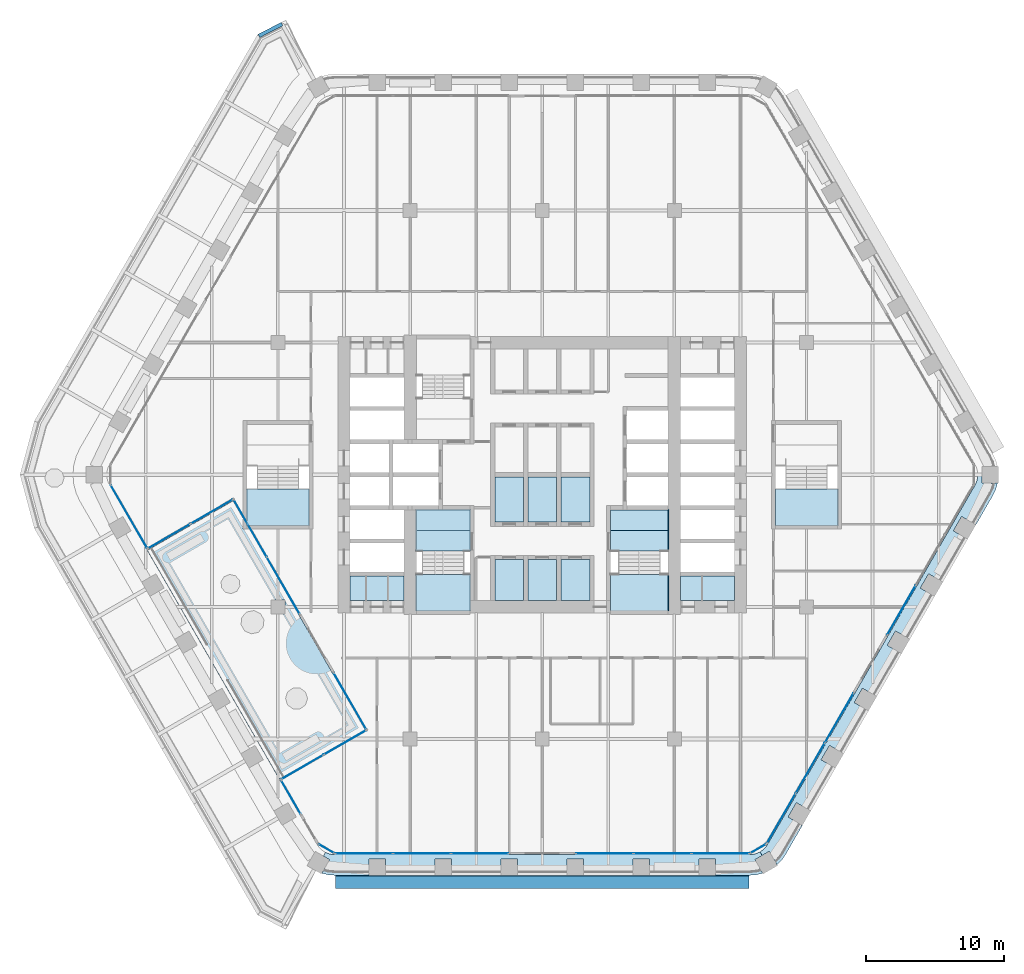
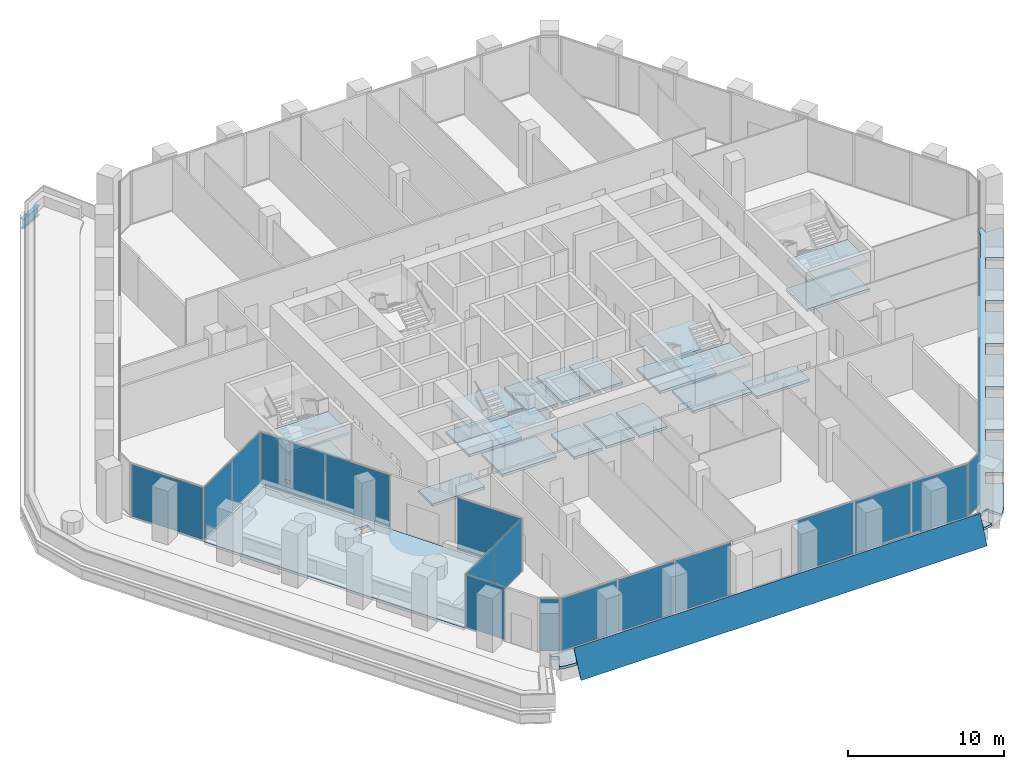
# One storey, part 12 of 27: 25 slabs, 22 plates, 1 beam, 16 elements without a shape of their own.
"""IFC4 building model written with IfcOpenShell, lengths in metres."""

from ifc_helpers import new_model, si_unit, direction, frame, origin, origin_2d, place, context, subcontext, project, spatial, polyline, rectangle, i_section, outline, extrude, material, layer, layer_set, material_profile, profile_set, type_object, element, aggregate, save


model = new_model("IFC4")

# Units and contexts
model_context = context("Model", 3, precision=1e-05, world=origin(), true_north=direction((0.0, 1.0)))
body_context = subcontext(model_context, "Body", "Model", "MODEL_VIEW")
ifc_project = project(units=[si_unit("LENGTHUNIT", "METRE"), si_unit("AREAUNIT", "SQUARE_METRE"), si_unit("VOLUMEUNIT", "CUBIC_METRE"), si_unit("PLANEANGLEUNIT", "RADIAN"), si_unit("MASSUNIT", "GRAM", prefix="KILO")], contexts=[model_context])

# Site, building, storey
site_placement = place(None, origin())
site = spatial("IfcSite", under=ifc_project, at=site_placement, CompositionType="ELEMENT")
building_placement = place(site_placement, origin())
building = spatial("IfcBuilding", under=site, at=building_placement, Name="Kolab Exchange Tower", CompositionType="ELEMENT")
storey_placement = place(building_placement, frame((0.0, 0.0, 122.89990234375)))
storey = spatial("IfcBuildingStorey", under=building, at=storey_placement, Name="L24", CompositionType="ELEMENT", Elevation=122.89990234375)

# Beam
ifc_material_1 = material(Name="Steel S355", Category="steel")
ifc_material_profile = material_profile(ifc_material_1, i_section(OverallWidth=0.26708984375, OverallDepth=0.761962890625, WebThickness=0.014404296875, FlangeThickness=0.021484375, at=origin_2d()), Name="W760X173")
ifc_profile_set = profile_set([ifc_material_profile], Name="Steel S355")
beam_type = type_object("IfcBeamType", Name="FLOOR GIRDER W760X173", PredefinedType="BEAM", material=ifc_profile_set)
beam_placement = place(storey_placement, frame((-20.58544921875, 31.875, -0.640869140625), z_axis=(0.889945032592, 0.456067800843, 0.0), x_axis=(-0.456067800843, 0.889945032592, 0.0)))
element("IfcBeam", 1, at=beam_placement, inside=storey, type_object=beam_type, Name="beam/L24/ledge/edge-17", PredefinedType="BEAM", context=body_context, shape_type="SweptSolid", body=[
    extrude(i_section(OverallWidth=0.26708984375, OverallDepth=0.761962890625, WebThickness=0.014404296875, FlangeThickness=0.021484375, at=origin_2d()), origin(), (0.0, 0.0, 1.0), 1.892333984375),
])

# Slabs
ifc_material_2 = material(Name="Concrete C35/45", Category="concrete")
ifc_layer_1 = layer(ifc_material_2, 0.199951171875)
ifc_layer_set_1 = layer_set([ifc_layer_1], Name="Concrete C35/45")
slab_type_1 = type_object("IfcSlabType", Name="FLOOR SLAB 200", PredefinedType="FLOOR", material=ifc_layer_set_1)
slab_1_placement = place(storey_placement, frame((0.0, 0.0, -0.199951171875)))
element("IfcSlab", 2, at=slab_1_placement, inside=storey, type_object=slab_type_1, Name="slab/L24/floor/2", PredefinedType="FLOOR", context=body_context, shape_type="SweptSolid", body=[
    extrude(outline(polyline([(-10.050048828125, -9.14990234375), (-10.050048828125, -7.35009765625), (-13.949951171875, -7.35009765625), (-13.949951171875, -9.14990234375), (-10.050048828125, -9.14990234375)])), origin(), (0.0, 0.0, 1.0), 0.199951171875),
])
slab_2_placement = place(storey_placement, frame((0.0, 0.0, -0.199951171875)))
element("IfcSlab", 3, at=slab_2_placement, inside=storey, type_object=slab_type_1, Name="slab/L24/floor/4", PredefinedType="FLOOR", context=body_context, shape_type="SweptSolid", body=[
    extrude(outline(polyline([(10.050048828125, -9.14990234375), (13.949951171875, -9.14990234375), (13.949951171875, -7.35009765625), (10.050048828125, -7.35009765625), (10.050048828125, -9.14990234375)])), origin(), (0.0, 0.0, 1.0), 0.199951171875),
])
slab_3_placement = place(storey_placement, frame((0.0, 0.0, -0.199951171875)))
element("IfcSlab", 4, at=slab_3_placement, inside=storey, type_object=slab_type_1, Name="slab/L24/floor/6", PredefinedType="FLOOR", context=body_context, shape_type="SweptSolid", body=[
    extrude(outline(polyline([(-1.35009765625, -3.449951171875), (-1.35009765625, -0.14990234375), (-3.449951171875, -0.14990234375), (-3.449951171875, -3.449951171875), (-1.35009765625, -3.449951171875)])), origin(), (0.0, 0.0, 1.0), 0.199951171875),
])
slab_4_placement = place(storey_placement, frame((0.0, 0.0, -0.199951171875)))
element("IfcSlab", 5, at=slab_4_placement, inside=storey, type_object=slab_type_1, Name="slab/L24/floor/8", PredefinedType="FLOOR", context=body_context, shape_type="SweptSolid", body=[
    extrude(outline(polyline([(-1.050048828125, -0.14990234375), (-1.050048828125, -3.449951171875), (1.050048828125, -3.449951171875), (1.050048828125, -0.14990234375), (-1.050048828125, -0.14990234375)])), origin(), (0.0, 0.0, 1.0), 0.199951171875),
])
slab_5_placement = place(storey_placement, frame((0.0, 0.0, -0.199951171875)))
element("IfcSlab", 6, at=slab_5_placement, inside=storey, type_object=slab_type_1, Name="slab/L24/floor/10", PredefinedType="FLOOR", context=body_context, shape_type="SweptSolid", body=[
    extrude(outline(polyline([(1.35009765625, -3.449951171875), (3.449951171875, -3.449951171875), (3.449951171875, -0.14990234375), (1.35009765625, -0.14990234375), (1.35009765625, -3.449951171875)])), origin(), (0.0, 0.0, 1.0), 0.199951171875),
])
slab_6_placement = place(storey_placement, frame((0.0, 0.0, -0.199951171875)))
element("IfcSlab", 7, at=slab_6_placement, inside=storey, type_object=slab_type_1, Name="slab/L24/floor/14", PredefinedType="FLOOR", context=body_context, shape_type="SweptSolid", body=[
    extrude(outline(polyline([(-1.35009765625, -6.14990234375), (-3.449951171875, -6.14990234375), (-3.449951171875, -9.14990234375), (-1.35009765625, -9.14990234375), (-1.35009765625, -6.14990234375)])), origin(), (0.0, 0.0, 1.0), 0.199951171875),
])
slab_7_placement = place(storey_placement, frame((0.0, 0.0, -0.199951171875)))
element("IfcSlab", 8, at=slab_7_placement, inside=storey, type_object=slab_type_1, Name="slab/L24/floor/16", PredefinedType="FLOOR", context=body_context, shape_type="SweptSolid", body=[
    extrude(outline(polyline([(1.050048828125, -6.14990234375), (-1.050048828125, -6.14990234375), (-1.050048828125, -9.14990234375), (1.050048828125, -9.14990234375), (1.050048828125, -6.14990234375)])), origin(), (0.0, 0.0, 1.0), 0.199951171875),
])
slab_8_placement = place(storey_placement, frame((0.0, 0.0, -0.199951171875)))
element("IfcSlab", 9, at=slab_8_placement, inside=storey, type_object=slab_type_1, Name="slab/L24/floor/18", PredefinedType="FLOOR", context=body_context, shape_type="SweptSolid", body=[
    extrude(outline(polyline([(1.35009765625, -6.14990234375), (1.35009765625, -9.14990234375), (3.449951171875, -9.14990234375), (3.449951171875, -6.14990234375), (1.35009765625, -6.14990234375)])), origin(), (0.0, 0.0, 1.0), 0.199951171875),
])
slab_9_placement = place(storey_placement, frame((0.0, 0.0, -0.199951171875)))
element("IfcSlab", 10, at=slab_9_placement, inside=storey, type_object=slab_type_1, Name="slab/L24/floor/20", PredefinedType="FLOOR", context=body_context, shape_type="SweptSolid", body=[
    extrude(outline(polyline([(4.949951171875, -4.050048828125), (9.14990234375, -4.050048828125), (9.14990234375, -2.550048828125), (6.14990234375, -2.550048828125), (5.85009765625, -2.550048828125), (4.949951171875, -2.550048828125), (4.949951171875, -4.050048828125)])), origin(), (0.0, 0.0, 1.0), 0.199951171875),
])
slab_10_placement = place(storey_placement, frame((0.0, 0.0, -0.199951171875)))
element("IfcSlab", 11, at=slab_10_placement, inside=storey, type_object=slab_type_1, Name="slab/L24/floor/21", PredefinedType="FLOOR", context=body_context, shape_type="SweptSolid", body=[
    extrude(outline(polyline([(-9.14990234375, -2.550048828125), (-9.14990234375, -4.050048828125), (-5.25, -4.050048828125), (-5.25, -2.550048828125), (-7.25, -2.550048828125), (-7.550048828125, -2.550048828125), (-9.14990234375, -2.550048828125)])), origin(), (0.0, 0.0, 1.0), 0.199951171875),
])
ifc_layer_2 = layer(ifc_material_2, 0.199951171875)
ifc_layer_set_2 = layer_set([ifc_layer_2], Name="Concrete C35/45")
slab_type_2 = type_object("IfcSlabType", Name="LOGGIA SLAB 200", PredefinedType="FLOOR", material=ifc_layer_set_2)
slab_11_placement = place(storey_placement, frame((0.0, 0.0, -0.199951171875)))
element("IfcSlab", 12, at=slab_11_placement, inside=storey, type_object=slab_type_2, Name="slab/L24/loggia/2-0", PredefinedType="FLOOR", context=body_context, shape_type="SweptSolid", body=[
    extrude(outline(polyline([(17.365966796875, -28.02685546875), (17.666015625, -27.598388671875), (18.89990234375, -25.461181640625), (17.86083984375, -24.861083984375), (18.460693359375, -23.822021484375), (19.5, -24.421875), (21.300048828125, -21.30419921875), (20.2607421875, -20.704345703125), (20.86083984375, -19.6650390625), (21.89990234375, -20.264892578125), (23.699951171875, -17.147216796875), (22.660888671875, -16.54736328125), (23.2607421875, -15.508056640625), (24.300048828125, -16.108154296875), (26.10009765625, -12.990478515625), (25.060791015625, -12.390380859375), (25.660888671875, -11.35107421875), (26.699951171875, -11.951171875), (28.5, -8.83349609375), (27.460693359375, -8.2333984375), (28.060791015625, -7.1943359375), (29.10009765625, -7.794189453125), (30.89990234375, -4.676513671875), (29.86083984375, -4.076416015625), (30.460693359375, -3.037353515625), (31.5, -3.63720703125), (32.73388671875, -1.5), (32.955078125, -1.026123046875), (33.069091796875, -0.60009765625), (31.935791015625, -0.60009765625), (31.935791015625, 0.0), (31.635986328125, 0.0), (31.613037109375, -0.260498046875), (31.54541015625, -0.512939453125), (31.434814453125, -0.75), (16.366943359375, -26.848388671875), (16.217041015625, -27.062744140625), (16.0322265625, -27.24755859375), (15.81787109375, -27.3974609375), (15.968017578125, -27.6572265625), (16.487548828125, -27.357177734375), (17.05419921875, -28.338623046875), (17.365966796875, -28.02685546875)])), origin(), (0.0, 0.0, 1.0), 0.199951171875),
])
slab_12_placement = place(storey_placement, frame((0.0, 0.0, -0.199951171875)))
element("IfcSlab", 13, at=slab_12_placement, inside=storey, type_object=slab_type_2, Name="slab/L24/loggia/3-0", PredefinedType="FLOOR", context=body_context, shape_type="SweptSolid", body=[
    extrude(outline(polyline([(-15.5810546875, -27.508056640625), (-15.7490234375, -27.4296875), (-15.88916015625, -27.702880859375), (-15.4482421875, -27.957275390625), (-16.014892578125, -28.938720703125), (-15.5888671875, -29.052978515625), (-15.06787109375, -29.098388671875), (-12.60009765625, -29.098388671875), (-12.60009765625, -27.8984375), (-11.39990234375, -27.8984375), (-11.39990234375, -29.098388671875), (-7.800048828125, -29.098388671875), (-7.800048828125, -27.8984375), (-6.60009765625, -27.8984375), (-6.60009765625, -29.098388671875), (-3.0, -29.098388671875), (-3.0, -27.8984375), (-1.800048828125, -27.8984375), (-1.800048828125, -29.098388671875), (1.800048828125, -29.098388671875), (1.800048828125, -27.8984375), (3.0, -27.8984375), (3.0, -29.098388671875), (6.60009765625, -29.098388671875), (6.60009765625, -27.8984375), (7.800048828125, -27.8984375), (7.800048828125, -29.098388671875), (11.39990234375, -29.098388671875), (11.39990234375, -27.8984375), (12.60009765625, -27.8984375), (12.60009765625, -29.098388671875), (15.06787109375, -29.098388671875), (15.5888671875, -29.052978515625), (16.014892578125, -28.938720703125), (15.4482421875, -27.957275390625), (15.968017578125, -27.6572265625), (15.81787109375, -27.3974609375), (15.5810546875, -27.508056640625), (15.328369140625, -27.57568359375), (15.06787109375, -27.598388671875), (-15.06787109375, -27.598388671875), (-15.328369140625, -27.57568359375), (-15.5810546875, -27.508056640625)])), origin(), (0.0, 0.0, 1.0), 0.199951171875),
])

# Plate
ifc_material_3 = material(Name="Laminated glass, clear", Category="glass")
ifc_layer_3 = layer(ifc_material_3, 0.0400390625)
ifc_layer_set_3 = layer_set([ifc_layer_3], Name="Laminated glass, clear")
plate_type_1 = type_object("IfcPlateType", Name="OUTER SKIN LAMINATED GLASS SHEET 40", PredefinedType="SHEET", material=ifc_layer_set_3)
plate_1_placement = place(storey_placement, frame((15.01806640625, -30.05810546875, -0.73291015625), z_axis=(0.0, -0.90629730464, 0.422640740585), x_axis=(-1.0, 0.0, 0.0)))
element("IfcPlate", 14, at=plate_1_placement, inside=storey, type_object=plate_type_1, Name="Outer skin", PredefinedType="SHEET", context=body_context, shape_type="SweptSolid", body=[
    extrude(outline(polyline([(0.0, 0.0), (30.0361328125, 0.0), (30.0361328125, -2.184691997442144), (0.0, -2.184691997442144), (0.0, 0.0)])), origin(), (0.0, 0.0, -1.0), 0.0400390625),
])

# Stair, slabs
ifc_material_4 = material(Name="Concrete C50/60", Category="concrete")
stair_type_1 = type_object("IfcStairType", Name="STAIR ST3 RISER 160.7", PredefinedType="DOUBLE_RETURN_STAIR", material=ifc_material_4)
stair_1_placement = place(storey_placement, origin())
stair_1 = element("IfcStair", 15, at=stair_1_placement, inside=storey, type_object=stair_type_1, Name="Stair 3", PredefinedType="DOUBLE_RETURN_STAIR")
ifc_layer_4 = layer(ifc_material_4, 0.199951171875)
ifc_layer_set_4 = layer_set([ifc_layer_4], Name="Concrete C50/60")
slab_type_3 = type_object("IfcSlabType", Name="STAIR LANDING 200", PredefinedType="LANDING", material=ifc_layer_set_4)
slab_13_placement = place(storey_placement, frame((0.0, 0.0, -0.199951171875)))
slab_13 = element("IfcSlab", 16, at=slab_13_placement, type_object=slab_type_3, Name="ST3 landing 1", PredefinedType="LANDING", context=body_context, shape_type="SweptSolid", body=[
    extrude(outline(polyline([(-9.14990234375, -5.550048828125), (-5.25, -5.550048828125), (-5.25, -4.050048828125), (-9.14990234375, -4.050048828125), (-9.14990234375, -5.550048828125)])), origin(), (0.0, 0.0, 1.0), 0.199951171875),
])
slab_14_placement = place(storey_placement, frame((0.0, 0.0, 0.925048828125)))
slab_14 = element("IfcSlab", 17, at=slab_14_placement, type_object=slab_type_3, Name="ST3 landing 2", PredefinedType="LANDING", context=body_context, shape_type="SweptSolid", body=[
    extrude(outline(polyline([(-9.2099609375, -9.909912109375), (-5.18994140625, -9.909912109375), (-5.18994140625, -7.22998046875), (-9.2099609375, -7.22998046875), (-9.2099609375, -9.909912109375)])), origin(), (0.0, 0.0, 1.0), 0.199951171875),
])
slab_15_placement = place(storey_placement, frame((0.0, 0.0, 2.050048828125)))
slab_15 = element("IfcSlab", 18, at=slab_15_placement, type_object=slab_type_3, Name="ST3 landing 3", PredefinedType="LANDING", context=body_context, shape_type="SweptSolid", body=[
    extrude(outline(polyline([(-9.2099609375, -5.550048828125), (-5.18994140625, -5.550048828125), (-5.18994140625, -2.489990234375), (-9.2099609375, -2.489990234375), (-9.2099609375, -5.550048828125)])), origin(), (0.0, 0.0, 1.0), 0.199951171875),
])
slab_16_placement = place(storey_placement, frame((0.0, 0.0, 3.175048828125)))
slab_16 = element("IfcSlab", 19, at=slab_16_placement, type_object=slab_type_3, Name="ST3 landing 4", PredefinedType="LANDING", context=body_context, shape_type="SweptSolid", body=[
    extrude(outline(polyline([(-9.14990234375, -9.909912109375), (-5.25, -9.909912109375), (-5.25, -7.22998046875), (-9.14990234375, -7.22998046875), (-9.14990234375, -9.909912109375)])), origin(), (0.0, 0.0, 1.0), 0.199951171875),
])
aggregate(stair_1, [slab_13, slab_14, slab_15, slab_16])

stair_type_2 = type_object("IfcStairType", Name="STAIR ST2 RISER 160.7", PredefinedType="DOUBLE_RETURN_STAIR", material=ifc_material_4)
stair_2_placement = place(storey_placement, origin())
stair_2 = element("IfcStair", 20, at=stair_2_placement, inside=storey, type_object=stair_type_2, Name="Stair 2", PredefinedType="DOUBLE_RETURN_STAIR")
slab_17_placement = place(storey_placement, frame((0.0, 0.0, -0.199951171875)))
slab_17 = element("IfcSlab", 21, at=slab_17_placement, type_object=slab_type_3, Name="ST2 landing 1", PredefinedType="LANDING", context=body_context, shape_type="SweptSolid", body=[
    extrude(outline(polyline([(4.949951171875, -5.550048828125), (9.14990234375, -5.550048828125), (9.14990234375, -4.050048828125), (4.949951171875, -4.050048828125), (4.949951171875, -5.550048828125)])), origin(), (0.0, 0.0, 1.0), 0.199951171875),
])
slab_18_placement = place(storey_placement, frame((0.0, 0.0, 0.925048828125)))
slab_18 = element("IfcSlab", 22, at=slab_18_placement, type_object=slab_type_3, Name="ST2 landing 2", PredefinedType="LANDING", context=body_context, shape_type="SweptSolid", body=[
    extrude(outline(polyline([(4.889892578125, -9.909912109375), (9.2099609375, -9.909912109375), (9.2099609375, -7.22998046875), (4.889892578125, -7.22998046875), (4.889892578125, -9.909912109375)])), origin(), (0.0, 0.0, 1.0), 0.199951171875),
])
slab_19_placement = place(storey_placement, frame((0.0, 0.0, 2.050048828125)))
slab_19 = element("IfcSlab", 23, at=slab_19_placement, type_object=slab_type_3, Name="ST2 landing 3", PredefinedType="LANDING", context=body_context, shape_type="SweptSolid", body=[
    extrude(outline(polyline([(4.889892578125, -5.550048828125), (9.2099609375, -5.550048828125), (9.2099609375, -2.489990234375), (4.889892578125, -2.489990234375), (4.889892578125, -5.550048828125)])), origin(), (0.0, 0.0, 1.0), 0.199951171875),
])
slab_20_placement = place(storey_placement, frame((0.0, 0.0, 3.175048828125)))
slab_20 = element("IfcSlab", 24, at=slab_20_placement, type_object=slab_type_3, Name="ST2 landing 4", PredefinedType="LANDING", context=body_context, shape_type="SweptSolid", body=[
    extrude(outline(polyline([(4.949951171875, -9.909912109375), (9.14990234375, -9.909912109375), (9.14990234375, -7.22998046875), (4.949951171875, -7.22998046875), (4.949951171875, -9.909912109375)])), origin(), (0.0, 0.0, 1.0), 0.199951171875),
])
aggregate(stair_2, [slab_17, slab_18, slab_19, slab_20])

stair_type_3 = type_object("IfcStairType", Name="STAIR ST4 RISER 160.7", PredefinedType="DOUBLE_RETURN_STAIR", material=ifc_material_4)
stair_3_placement = place(storey_placement, origin())
stair_3 = element("IfcStair", 25, at=stair_3_placement, inside=storey, type_object=stair_type_3, Name="Stair 4", PredefinedType="DOUBLE_RETURN_STAIR")
slab_21_placement = place(storey_placement, frame((0.0, 0.0, 0.925048828125)))
slab_21 = element("IfcSlab", 26, at=slab_21_placement, type_object=slab_type_3, Name="ST4 landing 2", PredefinedType="LANDING", context=body_context, shape_type="SweptSolid", body=[
    extrude(outline(polyline([(16.889892578125, -3.7099609375), (21.510009765625, -3.7099609375), (21.510009765625, -1.030029296875), (16.889892578125, -1.030029296875), (16.889892578125, -3.7099609375)])), origin(), (0.0, 0.0, 1.0), 0.199951171875),
])
slab_22_placement = place(storey_placement, frame((0.0, 0.0, 3.175048828125)))
slab_22 = element("IfcSlab", 27, at=slab_22_placement, type_object=slab_type_3, Name="ST4 landing 4", PredefinedType="LANDING", context=body_context, shape_type="SweptSolid", body=[
    extrude(outline(polyline([(16.949951171875, -3.7099609375), (21.449951171875, -3.7099609375), (21.449951171875, -1.030029296875), (16.949951171875, -1.030029296875), (16.949951171875, -3.7099609375)])), origin(), (0.0, 0.0, 1.0), 0.199951171875),
])
aggregate(stair_3, [slab_21, slab_22])

stair_type_4 = type_object("IfcStairType", Name="STAIR ST5 RISER 160.7", PredefinedType="DOUBLE_RETURN_STAIR", material=ifc_material_4)
stair_4_placement = place(storey_placement, origin())
stair_4 = element("IfcStair", 28, at=stair_4_placement, inside=storey, type_object=stair_type_4, Name="Stair 5", PredefinedType="DOUBLE_RETURN_STAIR")
slab_23_placement = place(storey_placement, frame((0.0, 0.0, 0.925048828125)))
slab_23 = element("IfcSlab", 29, at=slab_23_placement, type_object=slab_type_3, Name="ST5 landing 2", PredefinedType="LANDING", context=body_context, shape_type="SweptSolid", body=[
    extrude(outline(polyline([(-21.510009765625, -3.7099609375), (-16.889892578125, -3.7099609375), (-16.889892578125, -1.030029296875), (-21.510009765625, -1.030029296875), (-21.510009765625, -3.7099609375)])), origin(), (0.0, 0.0, 1.0), 0.199951171875),
])
slab_24_placement = place(storey_placement, frame((0.0, 0.0, 3.175048828125)))
slab_24 = element("IfcSlab", 30, at=slab_24_placement, type_object=slab_type_3, Name="ST5 landing 4", PredefinedType="LANDING", context=body_context, shape_type="SweptSolid", body=[
    extrude(outline(polyline([(-21.449951171875, -3.7099609375), (-16.949951171875, -3.7099609375), (-16.949951171875, -1.030029296875), (-21.449951171875, -1.030029296875), (-21.449951171875, -3.7099609375)])), origin(), (0.0, 0.0, 1.0), 0.199951171875),
])
aggregate(stair_4, [slab_23, slab_24])

# Slab
ifc_layer_5 = layer(ifc_material_2, 0.199951171875)
ifc_layer_set_5 = layer_set([ifc_layer_5], Name="Concrete C35/45")
slab_type_4 = type_object("IfcSlabType", Name="TERRACE SLAB 200 PLANTED", PredefinedType="ROOF", material=ifc_layer_set_5)
slab_25_placement = place(storey_placement, frame((0.0, 0.0, -0.199951171875)))
element("IfcSlab", 31, at=slab_25_placement, inside=storey, type_object=slab_type_4, Name="Roof terrace", PredefinedType="ROOF", context=body_context, shape_type="SweptSolid", body=[
    extrude(outline(polyline([(-12.865478515625, -18.51318359375), (-21.273681640625, -3.949951171875), (-21.449951171875, -3.949951171875), (-21.75, -3.949951171875), (-21.75, -3.124755859375), (-22.465576171875, -1.885498046875), (-28.700927734375, -5.4853515625), (-19.10107421875, -22.113037109375), (-12.865478515625, -18.51318359375)]), holes=[polyline([(-18.699951171875, -9.10009765625), (-18.699951171875, -10.10009765625), (-19.699951171875, -10.10009765625), (-19.699951171875, -9.10009765625), (-18.699951171875, -9.10009765625)])]), origin(), (0.0, 0.0, 1.0), 0.199951171875),
])

# Curtain wall, plate
ifc_material_5 = material(Name="Aluminium EN AW-6063 T6", Category="aluminium")
curtain_wall_type = type_object("IfcCurtainWallType", Name="UNITISED LOWER MID ZONE CURTAIN WALL", PredefinedType="NOTDEFINED", material=ifc_material_5)
curtain_wall_1_placement = place(storey_placement, origin())
curtain_wall_1 = element("IfcCurtainWall", 32, at=curtain_wall_1_placement, inside=storey, type_object=curtain_wall_type, Name="cw/L24/F3-1", PredefinedType="NOTDEFINED")
ifc_material_6 = material(Name="Clear insulated glazing unit", Category="glass")
ifc_layer_6 = layer(ifc_material_6, 0.02587890625)
ifc_layer_set_6 = layer_set([ifc_layer_6], Name="Clear insulated glazing unit")
plate_type_2 = type_object("IfcPlateType", Name="UNITISED LOWER MID ZONE GLASS PANEL 26", PredefinedType="CURTAIN_PANEL", material=ifc_layer_set_6)
plate_2_placement = place(storey_placement, frame((26.0947265625, -9.83935546875, 0.06005859375), z_axis=(0.0, 0.0, 1.0), x_axis=(-0.499999958358, -0.866025427826, 0.0)))
plate_2 = element("IfcPlate", 33, at=plate_2_placement, type_object=plate_type_2, Name="CW2 panel 3.1", PredefinedType="CURTAIN_PANEL", context=body_context, shape_type="SweptSolid", body=[
    extrude(rectangle(XDim=4.132568359375, YDim=0.02587890625, at=origin_2d()), origin(), (0.0, 0.0, 1.0), 4.080078125),
])
aggregate(curtain_wall_1, [plate_2])

# Curtain wall, plates
curtain_wall_2_placement = place(storey_placement, origin())
curtain_wall_2 = element("IfcCurtainWall", 34, at=curtain_wall_2_placement, inside=storey, type_object=curtain_wall_type, Name="cw/L24/F3-2", PredefinedType="NOTDEFINED")
plate_3_placement = place(storey_placement, frame((21.568603515625, -17.67919921875, 0.06005859375), z_axis=(0.0, 0.0, 1.0), x_axis=(-0.500000017564, -0.866025393644, 0.0)))
plate_3 = element("IfcPlate", 35, at=plate_3_placement, type_object=plate_type_2, Name="CW2 panel 1.1", PredefinedType="CURTAIN_PANEL", context=body_context, shape_type="SweptSolid", body=[
    extrude(rectangle(XDim=4.132568359375, YDim=0.02587890625, at=origin_2d()), origin(), (0.0, 0.0, 1.0), 4.080078125),
])
plate_4_placement = place(storey_placement, frame((19.464599609375, -21.322998046875, 0.06005859375), z_axis=(0.0, 0.0, 1.0), x_axis=(-0.500000017564, -0.866025393644, 0.0)))
plate_4 = element("IfcPlate", 36, at=plate_4_placement, type_object=plate_type_2, Name="CW2 panel 2.1", PredefinedType="CURTAIN_PANEL", context=body_context, shape_type="SweptSolid", body=[
    extrude(rectangle(XDim=4.16259765625, YDim=0.02587890625, at=origin_2d()), origin(), (0.0, 0.0, 1.0), 4.080078125),
])
plate_5_placement = place(storey_placement, frame((17.36083984375, -24.967041015625, 0.06005859375), z_axis=(0.0, 0.0, 1.0), x_axis=(-0.500000017564, -0.866025393644, 0.0)))
plate_5 = element("IfcPlate", 37, at=plate_5_placement, type_object=plate_type_2, Name="CW2 panel 3.1", PredefinedType="CURTAIN_PANEL", context=body_context, shape_type="SweptSolid", body=[
    extrude(rectangle(XDim=4.132568359375, YDim=0.02587890625, at=origin_2d()), origin(), (0.0, 0.0, 1.0), 4.080078125),
])
aggregate(curtain_wall_2, [plate_3, plate_4, plate_5])

curtain_wall_3_placement = place(storey_placement, origin())
curtain_wall_3 = element("IfcCurtainWall", 38, at=curtain_wall_3_placement, inside=storey, type_object=curtain_wall_type, Name="cw/L24/F4-1", PredefinedType="NOTDEFINED")
plate_6_placement = place(storey_placement, frame((12.941650390625, -27.5185546875, 0.06005859375), z_axis=(0.0, 0.0, 1.0), x_axis=(-1.0, 0.0, 0.0)))
plate_6 = element("IfcPlate", 39, at=plate_6_placement, type_object=plate_type_2, Name="CW2 panel 1.1", PredefinedType="CURTAIN_PANEL", context=body_context, shape_type="SweptSolid", body=[
    extrude(rectangle(XDim=4.132568359375, YDim=0.02587890625, at=origin_2d()), origin(), (0.0, 0.0, 1.0), 4.080078125),
])
plate_7_placement = place(storey_placement, frame((8.73388671875, -27.5185546875, 0.06005859375), z_axis=(0.0, 0.0, 1.0), x_axis=(-1.0, 0.0, 0.0)))
plate_7 = element("IfcPlate", 40, at=plate_7_placement, type_object=plate_type_2, Name="CW2 panel 2.1", PredefinedType="CURTAIN_PANEL", context=body_context, shape_type="SweptSolid", body=[
    extrude(rectangle(XDim=4.16259765625, YDim=0.02587890625, at=origin_2d()), origin(), (0.0, 0.0, 1.0), 4.080078125),
])
plate_8_placement = place(storey_placement, frame((4.5263671875, -27.5185546875, 0.06005859375), z_axis=(0.0, 0.0, 1.0), x_axis=(-1.0, 0.0, 0.0)))
plate_8 = element("IfcPlate", 41, at=plate_8_placement, type_object=plate_type_2, Name="CW2 panel 3.1", PredefinedType="CURTAIN_PANEL", context=body_context, shape_type="SweptSolid", body=[
    extrude(rectangle(XDim=4.132568359375, YDim=0.02587890625, at=origin_2d()), origin(), (0.0, 0.0, 1.0), 4.080078125),
])
aggregate(curtain_wall_3, [plate_6, plate_7, plate_8])

curtain_wall_4_placement = place(storey_placement, origin())
curtain_wall_4 = element("IfcCurtainWall", 42, at=curtain_wall_4_placement, inside=storey, type_object=curtain_wall_type, Name="cw/L24/F4-2", PredefinedType="NOTDEFINED")
plate_9_placement = place(storey_placement, frame((-4.5263671875, -27.5185546875, 0.06005859375), z_axis=(0.0, 0.0, 1.0), x_axis=(-1.0, 0.0, 0.0)))
plate_9 = element("IfcPlate", 43, at=plate_9_placement, type_object=plate_type_2, Name="CW2 panel 1.1", PredefinedType="CURTAIN_PANEL", context=body_context, shape_type="SweptSolid", body=[
    extrude(rectangle(XDim=4.132568359375, YDim=0.02587890625, at=origin_2d()), origin(), (0.0, 0.0, 1.0), 4.080078125),
])
plate_10_placement = place(storey_placement, frame((-8.73388671875, -27.5185546875, 0.06005859375), z_axis=(0.0, 0.0, 1.0), x_axis=(-1.0, 0.0, 0.0)))
plate_10 = element("IfcPlate", 44, at=plate_10_placement, type_object=plate_type_2, Name="CW2 panel 2.1", PredefinedType="CURTAIN_PANEL", context=body_context, shape_type="SweptSolid", body=[
    extrude(rectangle(XDim=4.16259765625, YDim=0.02587890625, at=origin_2d()), origin(), (0.0, 0.0, 1.0), 4.080078125),
])
plate_11_placement = place(storey_placement, frame((-12.941650390625, -27.5185546875, 0.06005859375), z_axis=(0.0, 0.0, 1.0), x_axis=(-1.0, 0.0, 0.0)))
plate_11 = element("IfcPlate", 45, at=plate_11_placement, type_object=plate_type_2, Name="CW2 panel 3.1", PredefinedType="CURTAIN_PANEL", context=body_context, shape_type="SweptSolid", body=[
    extrude(rectangle(XDim=4.132568359375, YDim=0.02587890625, at=origin_2d()), origin(), (0.0, 0.0, 1.0), 4.080078125),
])
aggregate(curtain_wall_4, [plate_9, plate_10, plate_11])

# Curtain wall, plate
curtain_wall_5_placement = place(storey_placement, origin())
curtain_wall_5 = element("IfcCurtainWall", 46, at=curtain_wall_5_placement, inside=storey, type_object=curtain_wall_type, Name="cw/L24/F5-l-1", PredefinedType="NOTDEFINED")
plate_12_placement = place(storey_placement, frame((-18.259765625, -23.41015625, 0.06005859375), z_axis=(0.0, 0.0, 1.0), x_axis=(-0.500000011986, 0.866025396864, 0.0)))
plate_12 = element("IfcPlate", 47, at=plate_12_placement, type_object=plate_type_2, Name="CW2 panel 1.1", PredefinedType="CURTAIN_PANEL", context=body_context, shape_type="SweptSolid", body=[
    extrude(rectangle(XDim=2.807861328125, YDim=0.02587890625, at=origin_2d()), origin(), (0.0, 0.0, 1.0), 4.080078125),
])
aggregate(curtain_wall_5, [plate_12])

# Curtain wall, plates
curtain_wall_6_placement = place(storey_placement, origin())
curtain_wall_6 = element("IfcCurtainWall", 48, at=curtain_wall_6_placement, inside=storey, type_object=curtain_wall_type, Name="cw/L24/F5-rl-1", PredefinedType="NOTDEFINED")
plate_13_placement = place(storey_placement, frame((-17.419921875, -21.23486328125, 0.06005859375), z_axis=(0.0, 0.0, 1.0), x_axis=(0.866025407005, 0.499999994423, 0.0)))
plate_13 = element("IfcPlate", 49, at=plate_13_placement, type_object=plate_type_2, Name="CW2 panel 1.1", PredefinedType="CURTAIN_PANEL", context=body_context, shape_type="SweptSolid", body=[
    extrude(rectangle(XDim=3.510009765625, YDim=0.02587890625, at=origin_2d()), origin(), (0.0, 0.0, 1.0), 4.080078125),
])
plate_14_placement = place(storey_placement, frame((-14.328125, -19.449951171875, 0.06005859375), z_axis=(0.0, 0.0, 1.0), x_axis=(0.866025407005, 0.499999994423, 0.0)))
plate_14 = element("IfcPlate", 50, at=plate_14_placement, type_object=plate_type_2, Name="CW2 panel 2.1", PredefinedType="CURTAIN_PANEL", context=body_context, shape_type="SweptSolid", body=[
    extrude(rectangle(XDim=3.510009765625, YDim=0.02587890625, at=origin_2d()), origin(), (0.0, 0.0, 1.0), 4.080078125),
])
aggregate(curtain_wall_6, [plate_13, plate_14])

# Curtain wall, plate
curtain_wall_7_placement = place(storey_placement, origin())
curtain_wall_7 = element("IfcCurtainWall", 51, at=curtain_wall_7_placement, inside=storey, type_object=curtain_wall_type, Name="cw/L24/F5-back-1", PredefinedType="NOTDEFINED")
plate_15_placement = place(storey_placement, frame((-13.96630859375, -16.446533203125, 0.06005859375), z_axis=(0.0, 0.0, 1.0), x_axis=(-0.499999995919, 0.866025406141, 0.0)))
plate_15 = element("IfcPlate", 52, at=plate_15_placement, type_object=plate_type_2, Name="CW2 panel 1.1", PredefinedType="CURTAIN_PANEL", context=body_context, shape_type="SweptSolid", body=[
    extrude(rectangle(XDim=4.719970703125, YDim=0.02587890625, at=origin_2d()), origin(), (0.0, 0.0, 1.0), 4.080078125),
])
aggregate(curtain_wall_7, [plate_15])

# Curtain wall, plates
curtain_wall_8_placement = place(storey_placement, origin())
curtain_wall_8 = element("IfcCurtainWall", 53, at=curtain_wall_8_placement, inside=storey, type_object=curtain_wall_type, Name="cw/L24/F5-back-2", PredefinedType="NOTDEFINED")
plate_16_placement = place(storey_placement, frame((-18.813720703125, -8.050537109375, 0.06005859375), z_axis=(0.0, 0.0, 1.0), x_axis=(-0.499999995919, 0.866025406141, 0.0)))
plate_16 = element("IfcPlate", 54, at=plate_16_placement, type_object=plate_type_2, Name="CW2 panel 1.1", PredefinedType="CURTAIN_PANEL", context=body_context, shape_type="SweptSolid", body=[
    extrude(rectangle(XDim=4.75, YDim=0.02587890625, at=origin_2d()), origin(), (0.0, 0.0, 1.0), 4.080078125),
])
plate_17_placement = place(storey_placement, frame((-21.21875, -3.884765625, 0.06005859375), z_axis=(0.0, 0.0, 1.0), x_axis=(-0.499999995919, 0.866025406141, 0.0)))
plate_17 = element("IfcPlate", 55, at=plate_17_placement, type_object=plate_type_2, Name="CW2 panel 2.1", PredefinedType="CURTAIN_PANEL", context=body_context, shape_type="SweptSolid", body=[
    extrude(rectangle(XDim=4.75, YDim=0.02587890625, at=origin_2d()), origin(), (0.0, 0.0, 1.0), 4.080078125),
])
aggregate(curtain_wall_8, [plate_16, plate_17])

curtain_wall_9_placement = place(storey_placement, origin())
curtain_wall_9 = element("IfcCurtainWall", 56, at=curtain_wall_9_placement, inside=storey, type_object=curtain_wall_type, Name="cw/L24/F5-rr-1", PredefinedType="NOTDEFINED")
plate_18_placement = place(storey_placement, frame((-24.008056640625, -2.68359375, 0.06005859375), z_axis=(0.0, 0.0, 1.0), x_axis=(-0.866025407005, -0.499999994423, 0.0)))
plate_18 = element("IfcPlate", 57, at=plate_18_placement, type_object=plate_type_2, Name="CW2 panel 1.1", PredefinedType="CURTAIN_PANEL", context=body_context, shape_type="SweptSolid", body=[
    extrude(rectangle(XDim=3.510009765625, YDim=0.02587890625, at=origin_2d()), origin(), (0.0, 0.0, 1.0), 4.080078125),
])
plate_19_placement = place(storey_placement, frame((-27.099853515625, -4.468505859375, 0.06005859375), z_axis=(0.0, 0.0, 1.0), x_axis=(-0.866025407005, -0.499999994423, 0.0)))
plate_19 = element("IfcPlate", 58, at=plate_19_placement, type_object=plate_type_2, Name="CW2 panel 2.1", PredefinedType="CURTAIN_PANEL", context=body_context, shape_type="SweptSolid", body=[
    extrude(rectangle(XDim=3.510009765625, YDim=0.02587890625, at=origin_2d()), origin(), (0.0, 0.0, 1.0), 4.080078125),
])
aggregate(curtain_wall_9, [plate_18, plate_19])

# Curtain wall, plate
curtain_wall_10_placement = place(storey_placement, origin())
curtain_wall_10 = element("IfcCurtainWall", 59, at=curtain_wall_10_placement, inside=storey, type_object=curtain_wall_type, Name="cw/L24/F5-r-1", PredefinedType="NOTDEFINED")
plate_20_placement = place(storey_placement, frame((-30.0185546875, -3.04296875, 0.06005859375), z_axis=(0.0, 0.0, 1.0), x_axis=(-0.499999906952, 0.866025457506, 0.0)))
plate_20 = element("IfcPlate", 60, at=plate_20_placement, type_object=plate_type_2, Name="CW2 panel 1.1", PredefinedType="CURTAIN_PANEL", context=body_context, shape_type="SweptSolid", body=[
    extrude(rectangle(XDim=5.26806640625, YDim=0.02587890625, at=origin_2d()), origin(), (0.0, 0.0, 1.0), 4.080078125),
])
aggregate(curtain_wall_10, [plate_20])

curtain_wall_11_placement = place(storey_placement, origin())
curtain_wall_11 = element("IfcCurtainWall", 61, at=curtain_wall_11_placement, inside=storey, type_object=curtain_wall_type, Name="cw/L24/F3F4-corner", PredefinedType="NOTDEFINED")
plate_21_placement = place(storey_placement, frame((15.682861328125, -27.16357421875, 0.06005859375), z_axis=(0.0, 0.0, 1.0), x_axis=(-0.866025390869, -0.50000002237, 0.0)))
plate_21 = element("IfcPlate", 62, at=plate_21_placement, type_object=plate_type_2, Name="CW2 panel 1.1", PredefinedType="CURTAIN_PANEL", context=body_context, shape_type="SweptSolid", body=[
    extrude(rectangle(XDim=1.300048828125, YDim=0.02587890625, at=origin_2d()), origin(), (0.0, 0.0, 1.0), 4.080078125),
])
aggregate(curtain_wall_11, [plate_21])

curtain_wall_12_placement = place(storey_placement, origin())
curtain_wall_12 = element("IfcCurtainWall", 63, at=curtain_wall_12_placement, inside=storey, type_object=curtain_wall_type, Name="cw/L24/F4F5-corner", PredefinedType="NOTDEFINED")
plate_22_placement = place(storey_placement, frame((-15.682861328125, -27.16357421875, 0.06005859375), z_axis=(0.0, 0.0, 1.0), x_axis=(-0.866025390869, 0.50000002237, 0.0)))
plate_22 = element("IfcPlate", 64, at=plate_22_placement, type_object=plate_type_2, Name="CW2 panel 1.1", PredefinedType="CURTAIN_PANEL", context=body_context, shape_type="SweptSolid", body=[
    extrude(rectangle(XDim=1.300048828125, YDim=0.02587890625, at=origin_2d()), origin(), (0.0, 0.0, 1.0), 4.080078125),
])
aggregate(curtain_wall_12, [plate_22])

save(model, "model.ifc")
